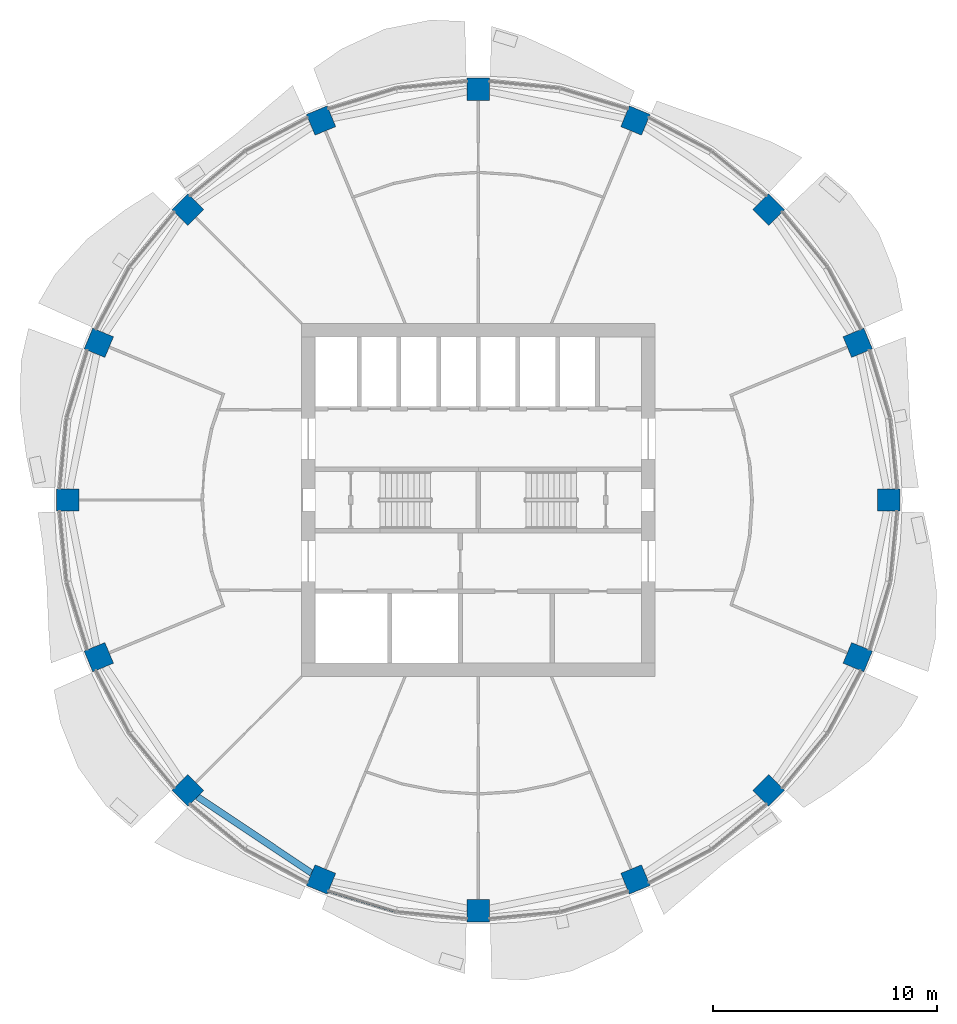
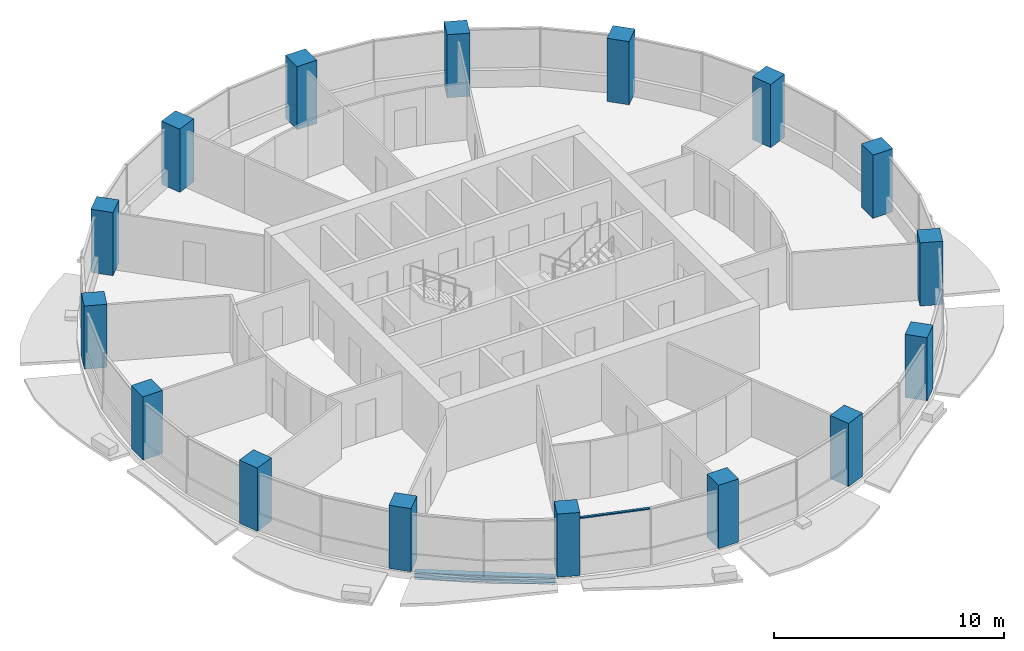
# One storey, part 1 of 14: 16 columns, 1 beam, 1 member, 1 element without a shape of its own.
"""IFC4 building model written with IfcOpenShell, lengths in metres."""

from ifc_helpers import new_model, si_unit, direction, frame, origin, origin_2d, place, context, subcontext, project, spatial, rectangle, i_section, extrude, material, material_profile, profile_set, type_object, element, aggregate, save


model = new_model("IFC4")

# Units and contexts
model_context = context("Model", 3, precision=1e-05, world=origin(), true_north=direction((0.0, 1.0)))
body_context = subcontext(model_context, "Body", "Model", "MODEL_VIEW")
ifc_project = project(units=[si_unit("LENGTHUNIT", "METRE"), si_unit("AREAUNIT", "SQUARE_METRE"), si_unit("VOLUMEUNIT", "CUBIC_METRE"), si_unit("PLANEANGLEUNIT", "RADIAN"), si_unit("MASSUNIT", "GRAM", prefix="KILO")], contexts=[model_context])

# Site, building, storey
site_placement = place(None, origin())
site = spatial("IfcSite", under=ifc_project, at=site_placement, CompositionType="ELEMENT")
building_placement = place(site_placement, origin())
building = spatial("IfcBuilding", under=site, at=building_placement, Name="Polderwave Tower", CompositionType="ELEMENT")
storey_placement = place(building_placement, frame((0.0, 0.0, 144.39990234375)))
storey = spatial("IfcBuildingStorey", under=building, at=storey_placement, Name="L38", CompositionType="ELEMENT", Elevation=144.39990234375)

# Columns
ifc_material_1 = material(Name="Concrete C60/75", Category="concrete")
ifc_material_profile_1 = material_profile(ifc_material_1, rectangle(XDim=1.0, YDim=1.0, at=origin_2d()), Name="RC 1000x1000")
ifc_profile_set_1 = profile_set([ifc_material_profile_1], Name="Concrete C60/75")
column_type = type_object("IfcColumnType", Name="RC COLUMN 1000x1000 C60/75", PredefinedType="COLUMN", material=ifc_profile_set_1)
for number, where, z_axis, x_axis, name in (
    (1, (18.300048828125, 0.0, 0.0), (0.0, 0.0, 1.0), (1.0, 0.0, 0.0), "Ring column 01"),
    (2, (16.906982421875, 7.003173828125, 0.0), (0.0, 0.0, 1.0), (0.923879532511, 0.382683432365, 0.0), "Ring column 02"),
    (3, (12.93994140625, 12.93994140625, 0.0), (0.0, 0.0, 1.0), (0.707106781187, 0.707106781187, 0.0), "Ring column 03"),
    (4, (7.003173828125, 16.906982421875, 0.0), (0.0, 0.0, 1.0), (0.382683432365, 0.923879532511, 0.0), "Ring column 04"),
    (5, (0.0, 18.300048828125, 0.0), (0.0, 0.0, 1.0), (0.0, 1.0, 0.0), "Ring column 05"),
    (6, (-7.003173828125, 16.906982421875, 0.0), (0.0, 0.0, 1.0), (-0.382683432365, 0.923879532511, 0.0), "Ring column 06"),
    (7, (-12.93994140625, 12.93994140625, 0.0), (0.0, 0.0, 1.0), (-0.707106781187, 0.707106781187, 0.0), "Ring column 07"),
    (8, (-16.906982421875, 7.003173828125, 0.0), (0.0, 0.0, 1.0), (-0.923879532511, 0.382683432365, 0.0), "Ring column 08"),
    (9, (-18.300048828125, 0.0, 0.0), (0.0, 0.0, 1.0), (-1.0, 0.0, 0.0), "Ring column 09"),
    (10, (-16.906982421875, -7.003173828125, 0.0), (0.0, 0.0, 1.0), (-0.923879532511, -0.382683432365, 0.0), "Ring column 10"),
    (11, (-12.93994140625, -12.93994140625, 0.0), (0.0, 0.0, 1.0), (-0.707106781187, -0.707106781187, 0.0), "Ring column 11"),
    (12, (-7.003173828125, -16.906982421875, 0.0), (0.0, 0.0, 1.0), (-0.382683432365, -0.923879532511, 0.0), "Ring column 12"),
    (13, (0.0, -18.300048828125, 0.0), (0.0, 0.0, 1.0), (0.0, -1.0, 0.0), "Ring column 13"),
    (14, (7.003173828125, -16.906982421875, 0.0), (0.0, 0.0, 1.0), (0.382683432365, -0.923879532511, 0.0), "Ring column 14"),
    (15, (12.93994140625, -12.93994140625, 0.0), (0.0, 0.0, 1.0), (0.707106781187, -0.707106781187, 0.0), "Ring column 15"),
    (16, (16.906982421875, -7.003173828125, 0.0), (0.0, 0.0, 1.0), (0.923879532511, -0.382683432365, 0.0), "Ring column 16"),
):
    element("IfcColumn", number, at=place(storey_placement, frame(where, z_axis=z_axis, x_axis=x_axis)), inside=storey, type_object=column_type, Name=name, PredefinedType="COLUMN", context=body_context, shape_type="SweptSolid", body=[
        extrude(rectangle(XDim=1.0, YDim=1.0, at=origin_2d()), origin(), (0.0, 0.0, 1.0), 3.35009765625),
    ])

# Curtain wall, member
ifc_material_2 = material(Name="Aluminium 6063-T6 and glass", Category="aluminium")
curtain_wall_type = type_object("IfcCurtainWallType", Name="Office ribbon glazing wall", PredefinedType="NOTDEFINED", material=ifc_material_2)
curtain_wall_placement = place(storey_placement, origin())
curtain_wall = element("IfcCurtainWall", 17, at=curtain_wall_placement, inside=storey, type_object=curtain_wall_type, Name="CW3 L38 11", PredefinedType="NOTDEFINED")
ifc_material_3 = material(Name="Aluminium 6063-T6", Category="aluminium")
ifc_material_profile_2 = material_profile(ifc_material_3, rectangle(XDim=0.1201171875, YDim=0.06005859375, at=origin_2d()), Name="AL 60x120")
ifc_profile_set_2 = profile_set([ifc_material_profile_2], Name="Aluminium 6063-T6")
member_type = type_object("IfcMemberType", Name="Office ribbon glazing transom 60x120", PredefinedType="USERDEFINED", material=ifc_profile_set_2)
member_placement = place(storey_placement, frame((-6.675048828125, -17.422119140625, 2.97021484375), z_axis=(0.956884827172, -0.290467601512, 0.0), x_axis=(0.290467601512, 0.956884827172, 0.0)))
member = element("IfcMember", 18, at=member_placement, type_object=member_type, Name="CW3 transom 1", ObjectType="TRANSOM", PredefinedType="USERDEFINED", context=body_context, shape_type="SweptSolid", body=[
    extrude(rectangle(XDim=0.1201171875, YDim=0.06005859375, at=origin_2d()), origin(), (0.0, 0.0, 1.0), 3.135986328125),
])
aggregate(curtain_wall, [member])

# Beam
ifc_material_4 = material(Name="Steel S355", Category="steel")
ifc_material_profile_3 = material_profile(ifc_material_4, i_section(OverallWidth=0.300048828125, OverallDepth=0.360107421875, WebThickness=0.012451171875, FlangeThickness=0.0224609375, at=origin_2d()), Name="HE 360 B")
ifc_profile_set_3 = profile_set([ifc_material_profile_3], Name="Steel S355")
beam_type = type_object("IfcBeamType", Name="RING BEAM HE 360 B", PredefinedType="BEAM", material=ifc_profile_set_3)
beam_placement = place(storey_placement, frame((-12.51611328125, -13.223388671875, -0.52978515625), z_axis=(0.831472997284, -0.555565167003, 0.0), x_axis=(0.555565167003, 0.831472997284, 0.0)))
element("IfcBeam", 19, at=beam_placement, inside=storey, type_object=beam_type, Name="ST-RB-L38-10", PredefinedType="BEAM", context=body_context, shape_type="SweptSolid", body=[
    extrude(i_section(OverallWidth=0.300048828125, OverallDepth=0.360107421875, WebThickness=0.012451171875, FlangeThickness=0.0224609375, at=origin_2d()), origin(), (0.0, 0.0, 1.0), 6.12060546875),
])

save(model, "model.ifc")
